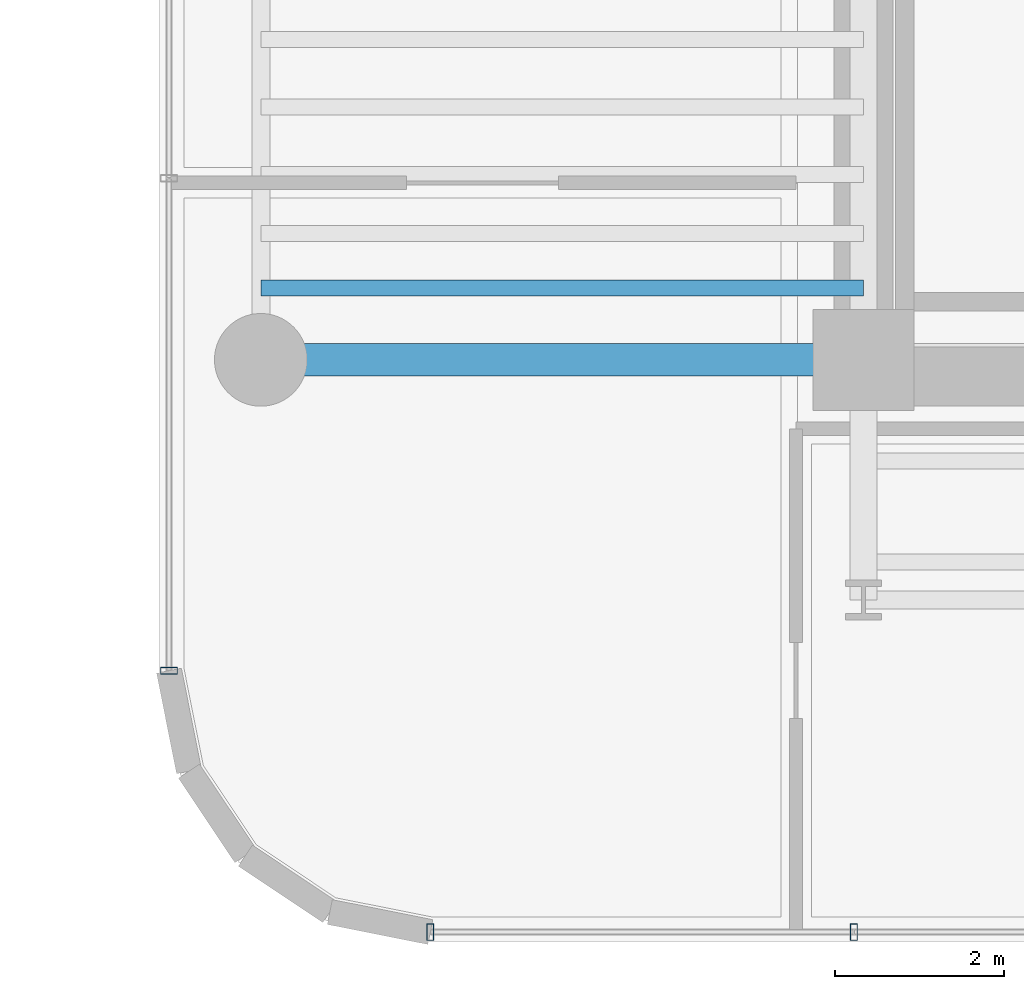
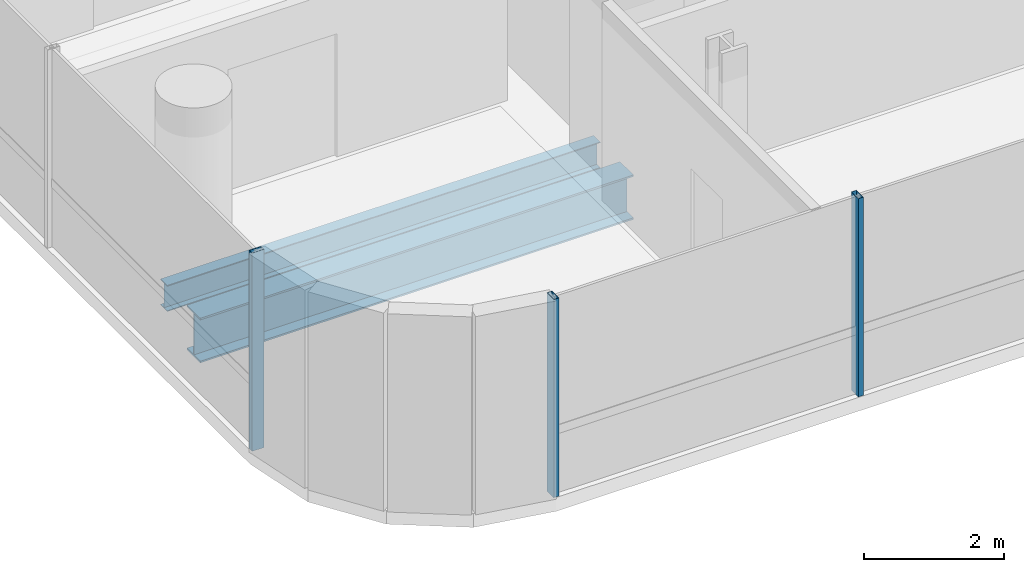
# One storey, part 2 of 34: 3 members, 2 beams, 2 elements without a shape of their own.
"""IFC4 building model written with IfcOpenShell, lengths in metres."""

from ifc_helpers import new_model, si_unit, direction, frame, origin, origin_2d, place, context, subcontext, project, spatial, hollow_rectangle, i_section, extrude, source, transform, mapped, material, material_profile, profile_set, type_object, element, aggregate, save


model = new_model("IFC4")

# Units and contexts
model_context = context("Model", 3, precision=1e-05, world=origin(), true_north=direction((0.0, 1.0)))
body_context = subcontext(model_context, "Body", "Model", "MODEL_VIEW")
ifc_project = project(units=[si_unit("LENGTHUNIT", "METRE"), si_unit("AREAUNIT", "SQUARE_METRE"), si_unit("VOLUMEUNIT", "CUBIC_METRE"), si_unit("PLANEANGLEUNIT", "RADIAN"), si_unit("MASSUNIT", "GRAM", prefix="KILO")], contexts=[model_context])

# Site, building, storey
site_placement = place(None, origin())
site = spatial("IfcSite", under=ifc_project, at=site_placement, CompositionType="ELEMENT")
building_placement = place(site_placement, origin())
building = spatial("IfcBuilding", under=site, at=building_placement, Name="Valdorenza Pilgrim Sanctuary Tower", CompositionType="ELEMENT")
storey_placement = place(building_placement, frame((0.0, 0.0, 142.699951171875)))
storey = spatial("IfcBuildingStorey", under=building, at=storey_placement, Name="L36", CompositionType="ELEMENT", Elevation=142.699951171875)

# Beams
ifc_material_1 = material(Name="Steel ASTM A992 Grade 50", Category="steel")
ifc_material_profile_1 = material_profile(ifc_material_1, i_section(OverallWidth=0.382080078125, OverallDepth=0.779052734375, WebThickness=0.01806640625, FlangeThickness=0.030029296875, at=origin_2d()), Name="W30X191")
ifc_profile_set_1 = profile_set([ifc_material_profile_1], Name="Steel ASTM A992 Grade 50")
beam_type_1 = type_object("IfcBeamType", Name="STR-BM-GRD-W30", PredefinedType="BEAM", material=ifc_profile_set_1)
shared_shape_1 = source(origin(), body_context, "Body", "SweptSolid", [
    extrude(i_section(OverallWidth=0.382080078125, OverallDepth=0.779052734375, WebThickness=0.01806640625, FlangeThickness=0.030029296875, at=origin_2d()), origin(), (0.0, 0.0, 1.0), 7.150146484375),
])
beam_1_placement = place(storey_placement, frame((-29.800048828125, -10.60009765625, -0.62939453125), z_axis=(1.0, 0.0, 0.0), x_axis=(0.0, 1.0, 0.0)))
element("IfcBeam", 1, at=beam_1_placement, inside=storey, type_object=beam_type_1, Name="L36 Floor Girder WA-XW-S1", PredefinedType="BEAM", context=body_context, shape_type="MappedRepresentation", body=[
    mapped(shared_shape_1, transform((0.0, 0.0, 0.0), x_axis=(1.0, 0.0, 0.0), y_axis=(0.0, 1.0, 0.0), z_axis=(0.0, 0.0, 1.0), scale=1.0)),
])
ifc_material_profile_2 = material_profile(ifc_material_1, i_section(OverallWidth=0.19091796875, OverallDepth=0.45703125, WebThickness=0.009033203125, FlangeThickness=0.014404296875, at=origin_2d()), Name="W18X50")
ifc_profile_set_2 = profile_set([ifc_material_profile_2], Name="Steel ASTM A992 Grade 50")
beam_type_2 = type_object("IfcBeamType", Name="STR-BM-JST-W18B", PredefinedType="JOIST", material=ifc_profile_set_2)
shared_shape_2 = source(origin(), body_context, "Body", "SweptSolid", [
    extrude(i_section(OverallWidth=0.19091796875, OverallDepth=0.45703125, WebThickness=0.009033203125, FlangeThickness=0.014404296875, at=origin_2d()), origin(), (0.0, 0.0, 1.0), 7.150146484375),
])
beam_2_placement = place(storey_placement, frame((-29.800048828125, -9.75, -0.468505859375), z_axis=(1.0, 0.0, 0.0), x_axis=(0.0, 1.0, 0.0)))
element("IfcBeam", 2, at=beam_2_placement, inside=storey, type_object=beam_type_2, Name="L36 Composite Floor Joist JST-WA-1", PredefinedType="JOIST", context=body_context, shape_type="MappedRepresentation", body=[
    mapped(shared_shape_2, transform((0.0, 0.0, 0.0), x_axis=(1.0, 0.0, 0.0), y_axis=(0.0, 1.0, 0.0), z_axis=(0.0, 0.0, 1.0), scale=1.0)),
])

# Curtain wall, member
ifc_material_2 = material(Name="Curtain-wall IGU glazing", Category="glass")
curtain_wall_type = type_object("IfcCurtainWallType", Name="CW-SYS-02", PredefinedType="NOTDEFINED", material=ifc_material_2)
curtain_wall_1_placement = place(storey_placement, origin())
curtain_wall_1 = element("IfcCurtainWall", 3, at=curtain_wall_1_placement, inside=storey, type_object=curtain_wall_type, Name="L36 Curtain Wall CW-L36-1-1S1", PredefinedType="NOTDEFINED")
ifc_material_3 = material(Name="Anodised aluminium AW-6060", Category="aluminium")
ifc_material_profile_3 = material_profile(ifc_material_3, hollow_rectangle(XDim=0.0849609375, YDim=0.199951171875, WallThickness=0.0048828125, at=origin_2d()), Name="ALU-M 200x85x5")
ifc_profile_set_3 = profile_set([ifc_material_profile_3], Name="Anodised aluminium AW-6060")
member_type = type_object("IfcMemberType", Name="CW-MUL-02", PredefinedType="MULLION", material=ifc_profile_set_3)
shared_shape_3 = source(origin(), body_context, "Body", "SweptSolid", [
    extrude(hollow_rectangle(XDim=0.0849609375, YDim=0.199951171875, WallThickness=0.0048828125, at=origin_2d()), origin(), (0.0, 0.0, 1.0), 3.4599609375),
])
member_1_placement = place(storey_placement, frame((-30.889892578125, -14.289306640625, 0.0), z_axis=(0.0, 0.0, 1.0), x_axis=(0.0, 1.0, 0.0)))
member_1 = element("IfcMember", 4, at=member_1_placement, type_object=member_type, Name="CW-L36-1-1S1 Mullion 1", PredefinedType="MULLION", context=body_context, shape_type="MappedRepresentation", body=[
    mapped(shared_shape_3, transform((0.0, 0.0, 0.0), x_axis=(1.0, 0.0, 0.0), y_axis=(0.0, 1.0, 0.0), z_axis=(0.0, 0.0, 1.0), scale=1.0)),
])
aggregate(curtain_wall_1, [member_1])

# Curtain wall, members
curtain_wall_2_placement = place(storey_placement, origin())
curtain_wall_2 = element("IfcCurtainWall", 5, at=curtain_wall_2_placement, inside=storey, type_object=curtain_wall_type, Name="L36 Curtain Wall CW-L36-1-46", PredefinedType="NOTDEFINED")
member_2_placement = place(storey_placement, frame((-22.76318359375, -17.389892578125, 0.0), z_axis=(0.0, 0.0, 1.0), x_axis=(-1.0, 0.0, 0.0)))
member_2 = element("IfcMember", 6, at=member_2_placement, type_object=member_type, Name="CW-L36-1-46 Mullion 3", PredefinedType="MULLION", context=body_context, shape_type="MappedRepresentation", body=[
    mapped(shared_shape_3, transform((0.0, 0.0, 0.0), x_axis=(1.0, 0.0, 0.0), y_axis=(0.0, 1.0, 0.0), z_axis=(0.0, 0.0, 1.0), scale=1.0)),
])
member_3_placement = place(storey_placement, frame((-27.789306640625, -17.389892578125, 0.0), z_axis=(0.0, 0.0, 1.0), x_axis=(-1.0, 0.0, 0.0)))
member_3 = element("IfcMember", 7, at=member_3_placement, type_object=member_type, Name="CW-L36-1-46 Mullion 4", PredefinedType="MULLION", context=body_context, shape_type="MappedRepresentation", body=[
    mapped(shared_shape_3, transform((0.0, 0.0, 0.0), x_axis=(1.0, 0.0, 0.0), y_axis=(0.0, 1.0, 0.0), z_axis=(0.0, 0.0, 1.0), scale=1.0)),
])
aggregate(curtain_wall_2, [member_2, member_3])

save(model, "model.ifc")
